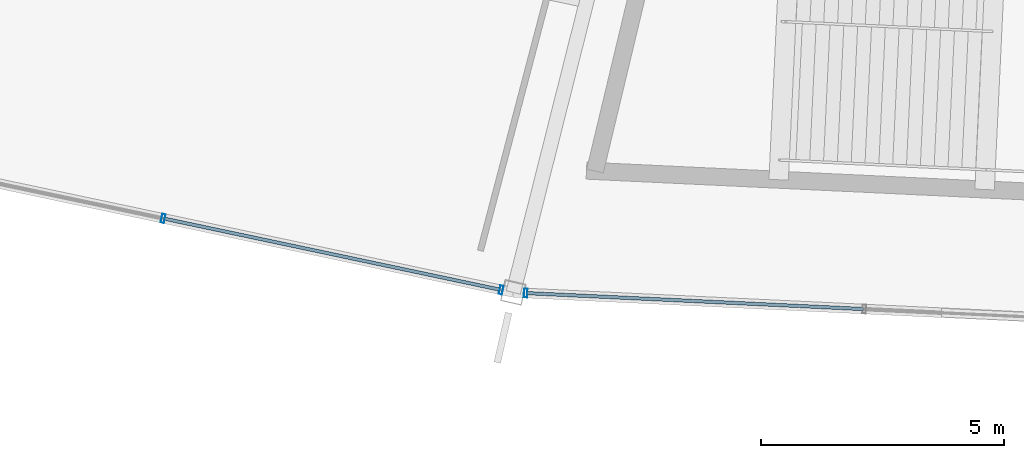
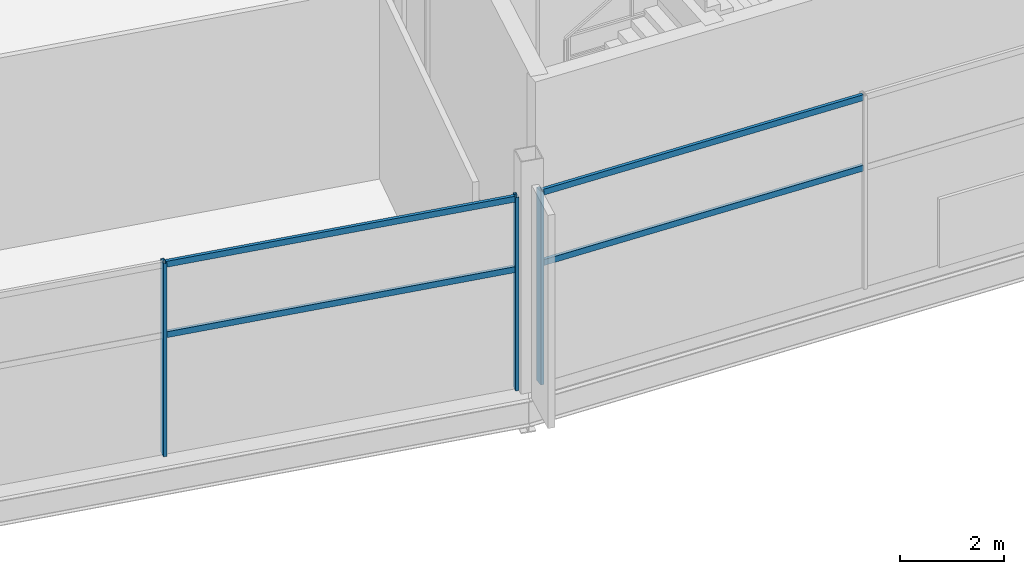
# One storey, part 27 of 186: 7 members, 2 elements without a shape of their own.
"""IFC4 building model written with IfcOpenShell, lengths in metres."""

from ifc_helpers import new_model, si_unit, direction, frame, origin, origin_2d, place, context, subcontext, project, spatial, hollow_rectangle, extrude, material, layer, layer_set, material_profile, profile_set, type_object, element, aggregate, save


model = new_model("IFC4")

# Units and contexts
model_context = context("Model", 3, precision=1e-05, world=origin(), true_north=direction((0.0, 1.0)))
body_context = subcontext(model_context, "Body", "Model", "MODEL_VIEW")
ifc_project = project(units=[si_unit("LENGTHUNIT", "METRE"), si_unit("AREAUNIT", "SQUARE_METRE"), si_unit("VOLUMEUNIT", "CUBIC_METRE"), si_unit("PLANEANGLEUNIT", "RADIAN"), si_unit("MASSUNIT", "GRAM", prefix="KILO")], contexts=[model_context])

# Site, building, storey
site_placement = place(None, origin())
site = spatial("IfcSite", under=ifc_project, at=site_placement, CompositionType="ELEMENT")
building_placement = place(site_placement, origin())
building = spatial("IfcBuilding", under=site, at=building_placement, Name="Kazemori Nagisa Stadium", CompositionType="ELEMENT")
storey_placement = place(building_placement, frame((0.0, 0.0, 20.39990234375)))
storey = spatial("IfcBuildingStorey", under=building, at=storey_placement, Name="L04", CompositionType="ELEMENT", Elevation=20.39990234375)

# Curtain wall, members
ifc_material_1 = material(Name="Anodised aluminium 6063-T5", Category="aluminium")
ifc_layer_1 = layer(ifc_material_1, 0.179931640625, Name="Anodised aluminium 6063-T5", Category="aluminium")
ifc_layer_set_1 = layer_set([ifc_layer_1], Name="Anodised aluminium 6063-T5")
curtain_wall_type_1 = type_object("IfcCurtainWallType", Name="CW_L04R3_107", PredefinedType="USERDEFINED", material=ifc_layer_set_1)
curtain_wall_1_placement = place(storey_placement, origin())
curtain_wall_1 = element("IfcCurtainWall", 1, at=curtain_wall_1_placement, inside=storey, type_object=curtain_wall_type_1, Name="Unitised curtain wall CW-L04R3-107 L04", ObjectType="UNITISED CURTAIN WALL", PredefinedType="USERDEFINED")
ifc_material_2 = material(Name="Aluminium 6063-T5 anodised", Category="aluminium")
ifc_material_profile_1 = material_profile(ifc_material_2, hollow_rectangle(XDim=0.070068359375, YDim=0.179931640625, WallThickness=0.00390625, at=origin_2d()), Name="ALU-MULL-70x180x4")
ifc_profile_set_1 = profile_set([ifc_material_profile_1], Name="Aluminium 6063-T5 anodised")
member_type_1 = type_object("IfcMemberType", Name="Mullion_M01", PredefinedType="MULLION", material=ifc_profile_set_1)
member_1_placement = place(storey_placement, frame((94.363525390625, 18.538330078125, 0.0), z_axis=(0.0, 0.0, 1.0), x_axis=(0.978344955407, -0.206981033502, 0.0)))
member_1 = element("IfcMember", 2, at=member_1_placement, type_object=member_type_1, Name="Curtain wall mullion CW-L04R3-107-M3", PredefinedType="MULLION", context=body_context, shape_type="SweptSolid", body=[
    extrude(hollow_rectangle(XDim=0.070068359375, YDim=0.179931640625, WallThickness=0.00390625, at=origin_2d()), origin(), (0.0, 0.0, 1.0), 4.530029296875),
])
member_2_placement = place(storey_placement, frame((101.32275390625, 17.06591796875, 0.0), z_axis=(0.0, 0.0, 1.0), x_axis=(0.978344955407, -0.206981033502, 0.0)))
member_2 = element("IfcMember", 3, at=member_2_placement, type_object=member_type_1, Name="Curtain wall mullion CW-L04R3-107-M4", PredefinedType="MULLION", context=body_context, shape_type="SweptSolid", body=[
    extrude(hollow_rectangle(XDim=0.070068359375, YDim=0.179931640625, WallThickness=0.00390625, at=origin_2d()), origin(), (0.0, 0.0, 1.0), 4.530029296875),
])

# Curtain wall, member
ifc_layer_2 = layer(ifc_material_1, 0.179931640625, Name="Anodised aluminium 6063-T5", Category="aluminium")
ifc_layer_set_2 = layer_set([ifc_layer_2], Name="Anodised aluminium 6063-T5")
curtain_wall_type_2 = type_object("IfcCurtainWallType", Name="CW_L04R3_105", PredefinedType="USERDEFINED", material=ifc_layer_set_2)
curtain_wall_2_placement = place(storey_placement, origin())
curtain_wall_2 = element("IfcCurtainWall", 4, at=curtain_wall_2_placement, inside=storey, type_object=curtain_wall_type_2, Name="Unitised curtain wall CW-L04R3-105 L04", ObjectType="UNITISED CURTAIN WALL", PredefinedType="USERDEFINED")
member_3_placement = place(storey_placement, frame((101.8271484375, 17.001220703125, 0.0), z_axis=(0.0, 0.0, 1.0), x_axis=(0.998884022476, -0.047230388971, 0.0)))
member_3 = element("IfcMember", 5, at=member_3_placement, type_object=member_type_1, Name="Curtain wall mullion CW-L04R3-105-M1", PredefinedType="MULLION", context=body_context, shape_type="SweptSolid", body=[
    extrude(hollow_rectangle(XDim=0.070068359375, YDim=0.179931640625, WallThickness=0.00390625, at=origin_2d()), origin(), (0.0, 0.0, 1.0), 4.530029296875),
])

# Member
ifc_material_profile_2 = material_profile(ifc_material_2, hollow_rectangle(XDim=0.070068359375, YDim=0.139892578125, WallThickness=0.00390625, at=origin_2d()), Name="ALU-TRAN-70x140x4")
ifc_profile_set_2 = profile_set([ifc_material_profile_2], Name="Aluminium 6063-T5 anodised")
member_type_2 = type_object("IfcMemberType", Name="Transom_T01", PredefinedType="USERDEFINED", material=ifc_profile_set_2)
member_4_placement = place(storey_placement, frame((94.383056640625, 18.5341796875, 2.80859375), z_axis=(0.97834311718, -0.206989722128, 0.0), x_axis=(0.206989722128, 0.97834311718, 0.0)))
member_4 = element("IfcMember", 6, at=member_4_placement, type_object=member_type_2, Name="Curtain wall transom CW-L04R3-107-T3-mid", ObjectType="TRANSOM", PredefinedType="USERDEFINED", context=body_context, shape_type="SweptSolid", body=[
    extrude(hollow_rectangle(XDim=0.070068359375, YDim=0.139892578125, WallThickness=0.00390625, at=origin_2d()), origin(), (0.0, 0.0, 1.0), 7.0732421875),
])

member_5_placement = place(storey_placement, frame((94.383056640625, 18.5341796875, 4.460205078125), z_axis=(0.97834311718, -0.206989722128, 0.0), x_axis=(0.206989722128, 0.97834311718, 0.0)))
member_5 = element("IfcMember", 7, at=member_5_placement, type_object=member_type_2, Name="Curtain wall transom CW-L04R3-107-T3-head", ObjectType="TRANSOM", PredefinedType="USERDEFINED", context=body_context, shape_type="SweptSolid", body=[
    extrude(hollow_rectangle(XDim=0.070068359375, YDim=0.139892578125, WallThickness=0.00390625, at=origin_2d()), origin(), (0.0, 0.0, 1.0), 7.0732421875),
])

aggregate(curtain_wall_1, [member_1, member_2, member_4, member_5])

member_6_placement = place(storey_placement, frame((101.846923828125, 17.000244140625, 2.80859375), z_axis=(0.998883524201, -0.047240925908, 0.0), x_axis=(0.047240925908, 0.998883524201, 0.0)))
member_6 = element("IfcMember", 8, at=member_6_placement, type_object=member_type_2, Name="Curtain wall transom CW-L04R3-105-T1-mid", ObjectType="TRANSOM", PredefinedType="USERDEFINED", context=body_context, shape_type="SweptSolid", body=[
    extrude(hollow_rectangle(XDim=0.070068359375, YDim=0.139892578125, WallThickness=0.00390625, at=origin_2d()), origin(), (0.0, 0.0, 1.0), 6.940673828125),
])

member_7_placement = place(storey_placement, frame((101.846923828125, 17.000244140625, 4.460205078125), z_axis=(0.998883524201, -0.047240925908, 0.0), x_axis=(0.047240925908, 0.998883524201, 0.0)))
member_7 = element("IfcMember", 9, at=member_7_placement, type_object=member_type_2, Name="Curtain wall transom CW-L04R3-105-T1-head", ObjectType="TRANSOM", PredefinedType="USERDEFINED", context=body_context, shape_type="SweptSolid", body=[
    extrude(hollow_rectangle(XDim=0.070068359375, YDim=0.139892578125, WallThickness=0.00390625, at=origin_2d()), origin(), (0.0, 0.0, 1.0), 6.940673828125),
])

aggregate(curtain_wall_2, [member_3, member_6, member_7])

save(model, "model.ifc")
